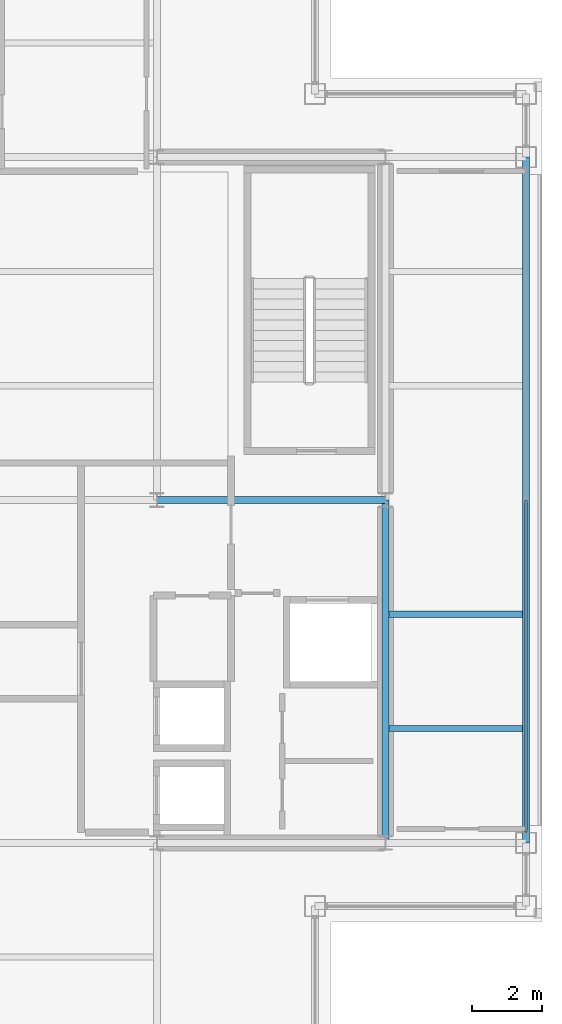
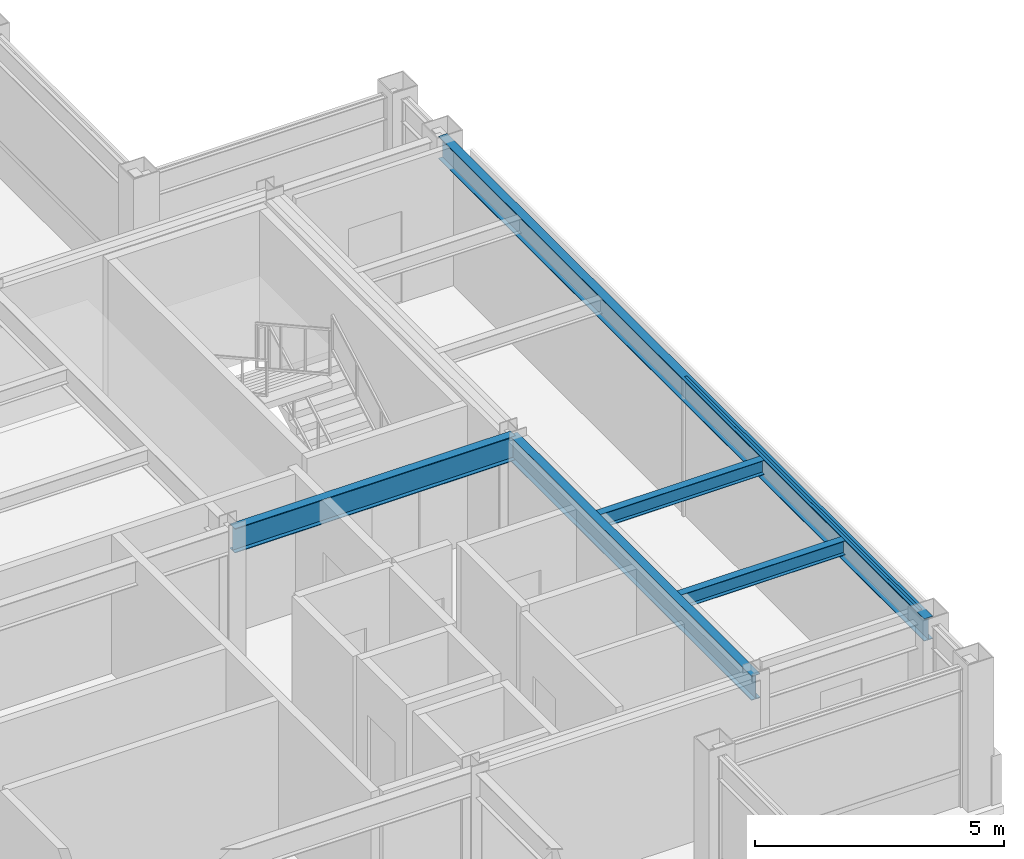
# One storey, part 16 of 28: 5 beams, 1 member, 1 element without a shape of its own.
"""IFC4 building model written with IfcOpenShell, lengths in metres."""

from ifc_helpers import new_model, si_unit, direction, frame, origin, origin_2d, place, context, subcontext, project, spatial, hollow_rectangle, i_section, extrude, material, layer, layer_set, material_profile, profile_set, type_object, element, aggregate, save


model = new_model("IFC4")

# Units and contexts
model_context = context("Model", 3, precision=1e-05, world=origin(), true_north=direction((0.0, 1.0)))
body_context = subcontext(model_context, "Body", "Model", "MODEL_VIEW")
ifc_project = project(units=[si_unit("LENGTHUNIT", "METRE"), si_unit("AREAUNIT", "SQUARE_METRE"), si_unit("VOLUMEUNIT", "CUBIC_METRE"), si_unit("PLANEANGLEUNIT", "RADIAN"), si_unit("MASSUNIT", "GRAM", prefix="KILO")], contexts=[model_context])

# Site, building, storey
site_placement = place(None, origin())
site = spatial("IfcSite", under=ifc_project, at=site_placement, CompositionType="ELEMENT")
building_placement = place(site_placement, origin())
building = spatial("IfcBuilding", under=site, at=building_placement, Name="Brelmoor Portico Tower", CompositionType="ELEMENT")
storey_placement = place(building_placement, frame((0.0, 0.0, 265.199951171875)))
storey = spatial("IfcBuildingStorey", under=building, at=storey_placement, Name="L70", CompositionType="ELEMENT", Elevation=265.199951171875)

# Beams
ifc_material_1 = material(Name="Steel Q355B", Category="steel")
ifc_material_profile_1 = material_profile(ifc_material_1, i_section(OverallWidth=0.175048828125, OverallDepth=0.35009765625, WebThickness=0.007080078125, FlangeThickness=0.010986328125, at=origin_2d()), Name="HN 350x175x7x11")
ifc_profile_set_1 = profile_set([ifc_material_profile_1], Name="Steel Q355B")
beam_type_1 = type_object("IfcBeamType", Name="BM-JS-350", PredefinedType="JOIST", material=ifc_profile_set_1)
for number, where, z_axis, x_axis, name in (
    (1, (14.64990234375, -6.5, 3.22509765625), (1.0, 0.0, 0.0), (0.0, 1.0, 0.0), "L70 Secondary Wing Joist JS-E11"),
    (2, (14.64990234375, -3.25, 3.22509765625), (1.0, 0.0, 0.0), (0.0, 1.0, 0.0), "L70 Secondary Wing Joist JS-E12"),
):
    element("IfcBeam", number, at=place(storey_placement, frame(where, z_axis=z_axis, x_axis=x_axis)), inside=storey, type_object=beam_type_1, Name=name, PredefinedType="JOIST", context=body_context, shape_type="SweptSolid", body=[
        extrude(i_section(OverallWidth=0.175048828125, OverallDepth=0.35009765625, WebThickness=0.007080078125, FlangeThickness=0.010986328125, at=origin_2d()), origin(), (0.0, 0.0, 1.0), 3.800048828125),
    ])
ifc_material_profile_2 = material_profile(ifc_material_1, i_section(OverallWidth=0.199951171875, OverallDepth=0.60009765625, WebThickness=0.010986328125, FlangeThickness=0.01708984375, at=origin_2d()), Name="HN 600x200x11x17")
ifc_profile_set_2 = profile_set([ifc_material_profile_2], Name="Steel Q355B")
beam_type_2 = type_object("IfcBeamType", Name="BM-PG-600", PredefinedType="BEAM", material=ifc_profile_set_2)
beam_1_placement = place(storey_placement, frame((14.550048828125, -9.75, 3.10009765625), z_axis=(0.0, 1.0, 0.0), x_axis=(-1.0, 0.0, 0.0)))
element("IfcBeam", 3, at=beam_1_placement, inside=storey, type_object=beam_type_2, Name="L70 Primary Floor Girder PG-09", PredefinedType="BEAM", context=body_context, shape_type="SweptSolid", body=[
    extrude(i_section(OverallWidth=0.199951171875, OverallDepth=0.60009765625, WebThickness=0.010986328125, FlangeThickness=0.01708984375, at=origin_2d()), origin(), (0.0, 0.0, 1.0), 9.75),
])
beam_2_placement = place(storey_placement, frame((8.050048828125, 0.0, 3.10009765625), z_axis=(1.0, 0.0, 0.0), x_axis=(0.0, 1.0, 0.0)))
element("IfcBeam", 4, at=beam_2_placement, inside=storey, type_object=beam_type_2, Name="L70 Primary Floor Girder PG-18", PredefinedType="BEAM", context=body_context, shape_type="SweptSolid", body=[
    extrude(i_section(OverallWidth=0.199951171875, OverallDepth=0.60009765625, WebThickness=0.010986328125, FlangeThickness=0.01708984375, at=origin_2d()), origin(), (0.0, 0.0, 1.0), 6.5),
])
ifc_material_profile_3 = material_profile(ifc_material_1, i_section(OverallWidth=0.199951171875, OverallDepth=0.550048828125, WebThickness=0.010009765625, FlangeThickness=0.01611328125, at=origin_2d()), Name="HN 550x200x10x16")
ifc_profile_set_3 = profile_set([ifc_material_profile_3], Name="Steel Q355B")
beam_type_3 = type_object("IfcBeamType", Name="BM-SP-550", PredefinedType="SPANDREL", material=ifc_profile_set_3)
beam_3_placement = place(storey_placement, frame((18.550048828125, -9.75, 3.125), z_axis=(0.0, 1.0, 0.0), x_axis=(-1.0, 0.0, 0.0)))
element("IfcBeam", 5, at=beam_3_placement, inside=storey, type_object=beam_type_3, Name="L70 Perimeter Spandrel Beam SP-19", PredefinedType="SPANDREL", context=body_context, shape_type="SweptSolid", body=[
    extrude(i_section(OverallWidth=0.199951171875, OverallDepth=0.550048828125, WebThickness=0.010009765625, FlangeThickness=0.01611328125, at=origin_2d()), origin(), (0.0, 0.0, 1.0), 19.5),
])

# Curtain wall, member
ifc_material_2 = material(Name="Anodised Aluminium Alloy 6063-T6", Category="aluminium")
ifc_layer = layer(ifc_material_2, 0.179931640625)
ifc_layer_set = layer_set([ifc_layer], Name="Anodised Aluminium Alloy 6063-T6")
curtain_wall_type = type_object("IfcCurtainWallType", Name="CW-TOWER-Z4-XB", PredefinedType="NOTDEFINED", material=ifc_layer_set)
curtain_wall_placement = place(storey_placement, origin())
curtain_wall = element("IfcCurtainWall", 6, at=curtain_wall_placement, inside=storey, type_object=curtain_wall_type, Name="L70 Curtain Wall CW-L70-04-2", PredefinedType="NOTDEFINED")
ifc_material_profile_4 = material_profile(ifc_material_2, hollow_rectangle(XDim=0.06005859375, YDim=0.125, WallThickness=0.00341796875, at=origin_2d()), Name="ALU TRANSOM 60x125")
ifc_profile_set_4 = profile_set([ifc_material_profile_4], Name="Anodised Aluminium Alloy 6063-T6")
member_type = type_object("IfcMemberType", Name="MB-CW-TRAN-125", PredefinedType="USERDEFINED", material=ifc_profile_set_4)
member_placement = place(storey_placement, frame((18.550048828125, -9.43994140625, 3.337646484375), z_axis=(0.0, 1.0, 0.0), x_axis=(-1.0, 0.0, 0.0)))
member = element("IfcMember", 7, at=member_placement, type_object=member_type, Name="CW-L70-04-2 Transom 1-00", ObjectType="TRANSOM", PredefinedType="USERDEFINED", context=body_context, shape_type="SweptSolid", body=[
    extrude(hollow_rectangle(XDim=0.06005859375, YDim=0.125, WallThickness=0.00341796875, at=origin_2d()), origin(), (0.0, 0.0, 1.0), 9.43994140625),
])
aggregate(curtain_wall, [member])

save(model, "model.ifc")
